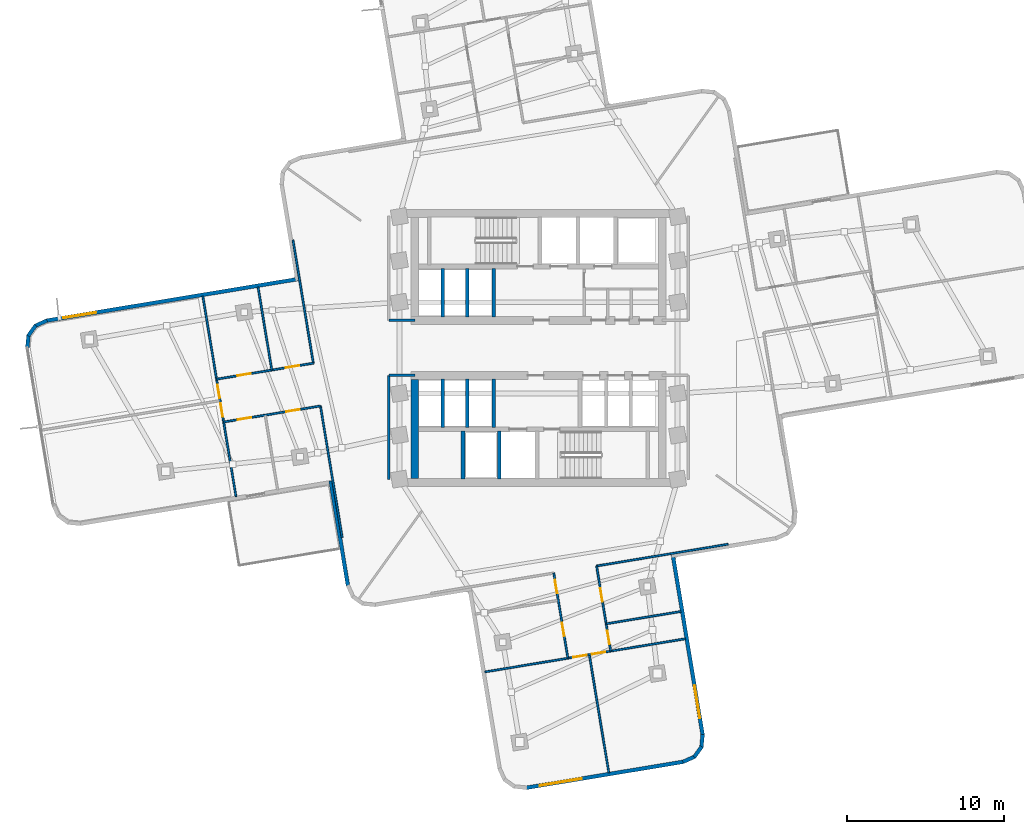
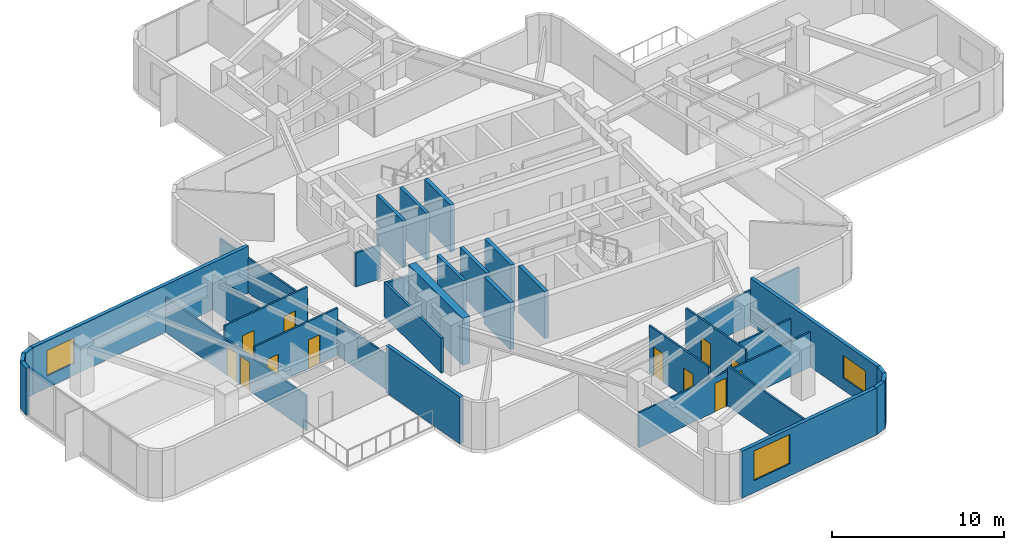
# One storey, part 7 of 13: 34 walls, 12 doors, 3 windows, 15 openings.
"""IFC4 building model written with IfcOpenShell, lengths in metres."""

from ifc_helpers import new_model, si_unit, direction, frame, frame_2d, origin, place, context, subcontext, project, spatial, rectangle, extrude, material, layer, layer_set, type_object, element, fill, save


model = new_model("IFC4")

# Units and contexts
model_context = context("Model", 3, precision=1e-05, world=origin(), true_north=direction((0.0, 1.0)))
body_context = subcontext(model_context, "Body", "Model", "MODEL_VIEW")
ifc_project = project(units=[si_unit("LENGTHUNIT", "METRE"), si_unit("AREAUNIT", "SQUARE_METRE"), si_unit("VOLUMEUNIT", "CUBIC_METRE"), si_unit("PLANEANGLEUNIT", "RADIAN"), si_unit("MASSUNIT", "GRAM", prefix="KILO")], contexts=[model_context])

# Site, building, storey
site_placement = place(None, origin())
site = spatial("IfcSite", under=ifc_project, at=site_placement, CompositionType="ELEMENT")
building_placement = place(site_placement, origin())
building = spatial("IfcBuilding", under=site, at=building_placement, Name="Solmarez Civic Tower", CompositionType="ELEMENT")
storey_placement = place(building_placement, frame((0.0, 0.0, 96.47998046875)))
storey = spatial("IfcBuildingStorey", under=building, at=storey_placement, Name="L25", CompositionType="ELEMENT", Elevation=96.47998046875)

# Walls
ifc_material_1 = material(Name="Concrete C60/75", Category="concrete")
ifc_layer_1 = layer(ifc_material_1, 0.5)
ifc_layer_set_1 = layer_set([ifc_layer_1], Name="Concrete C60/75")
wall_type_1 = type_object("IfcWallType", Name="WALL-CORE-500", PredefinedType="SHEAR", material=ifc_layer_set_1)
wall_1_placement = place(storey_placement, frame((-7.8701171875, -8.31005859375, 0.0), z_axis=(0.0, 0.0, 1.0), x_axis=(0.0, 1.0, 0.0)))
element("IfcWall", 1, at=wall_1_placement, inside=storey, type_object=wall_type_1, Name="L25 Split-Core Structural Wall SCW-W-L25", PredefinedType="SHEAR", context=body_context, shape_type="SweptSolid", body=[
    extrude(rectangle(XDim=6.31005859375, YDim=0.5, at=frame_2d((3.155029296875, 0.0))), origin(), (0.0, 0.0, 1.0), 3.340087890625),
])
ifc_material_2 = material(Name="Precast concrete C40/50", Category="concrete")
ifc_layer_2 = layer(ifc_material_2, 0.239990234375)
ifc_layer_set_2 = layer_set([ifc_layer_2], Name="Precast concrete C40/50")
wall_type_2 = type_object("IfcWallType", Name="WALL-EXT-240", PredefinedType="SOLIDWALL", material=ifc_layer_set_2)
wall_2_placement = place(storey_placement, frame((-32.52099609375, -0.011962890625, 0.0), z_axis=(0.0, 0.0, 1.0), x_axis=(0.096389937095, 0.995343649212, 0.0)))
element("IfcWall", 2, at=wall_2_placement, inside=storey, type_object=wall_type_2, Name="L25 Exterior Precast Wall 7", PredefinedType="SOLIDWALL", context=body_context, shape_type="SweptSolid", body=[
    extrude(rectangle(XDim=0.830810546875, YDim=0.239990234375, at=frame_2d((0.41552734375, 0.0))), origin(), (0.0, 0.0, 1.0), 3.340087890625),
])
wall_3_placement = place(storey_placement, frame((-32.4580078125, 0.77001953125, 0.0), z_axis=(0.0, 0.0, 1.0), x_axis=(0.583704032354, 0.811966503382, 0.0)))
element("IfcWall", 3, at=wall_3_placement, inside=storey, type_object=wall_type_2, Name="L25 Exterior Precast Wall 8", PredefinedType="SOLIDWALL", context=body_context, shape_type="SweptSolid", body=[
    extrude(rectangle(XDim=0.81396484375, YDim=0.239990234375, at=frame_2d((0.406982421875, 0.0))), origin(), (0.0, 0.0, 1.0), 3.340087890625),
])
wall_4_placement = place(storey_placement, frame((-32.02099609375, 1.40087890625, 0.0), z_axis=(0.0, 0.0, 1.0), x_axis=(0.911310138196, 0.411720575173, 0.0)))
element("IfcWall", 4, at=wall_4_placement, inside=storey, type_object=wall_type_2, Name="L25 Exterior Precast Wall 9", PredefinedType="SOLIDWALL", context=body_context, shape_type="SweptSolid", body=[
    extrude(rectangle(XDim=0.830810546875, YDim=0.239990234375, at=frame_2d((0.41552734375, 0.0))), origin(), (0.0, 0.0, 1.0), 3.340087890625),
])

# Wall, opening, window
wall_5_placement = place(storey_placement, frame((-31.31201171875, 1.72900390625, 0.0), z_axis=(0.0, 0.0, 1.0), x_axis=(0.986572947557, 0.163321214629, 0.0)))
wall_5 = element("IfcWall", 5, at=wall_5_placement, inside=storey, type_object=wall_type_2, Name="L25 Exterior Precast Wall 10", PredefinedType="SOLIDWALL", context=body_context, shape_type="SweptSolid", body=[
    extrude(rectangle(XDim=16.2744140625, YDim=0.239990234375, at=frame_2d((8.13720703125, 0.0))), origin(), (0.0, 0.0, 1.0), 3.340087890625),
])
opening_1_placement = place(wall_5_placement, frame((1.10009765625, 0.0, 0.85009765625)))
opening_1 = element("IfcOpeningElement", 6, at=opening_1_placement, cuts=wall_5, Name="Opening W-07", PredefinedType="OPENING", context=body_context, shape_type="SweptSolid", body=[
    extrude(rectangle(XDim=2.10009765625, YDim=1.800048828125, at=frame_2d((1.050048828125, 0.89990234375))), frame((0.0, 0.1298828125, 0.0), z_axis=(0.0, -1.0, 0.0), x_axis=(1.0, 0.0, 0.0)), (0.0, 0.0, 1.0), 0.260009765625),
])
ifc_material_3 = material(Name="Solar Control Bronze-Tinted Insulating Glass", Category="glass")
window_type_1 = type_object("IfcWindowType", Name="WIN-2100X1800", PartitioningType="SINGLE_PANEL", PredefinedType="WINDOW", material=ifc_material_3)
window_1_placement = place(opening_1_placement, origin())
window_1 = element("IfcWindow", 7, at=window_1_placement, inside=storey, type_object=window_type_1, Name="L25 Exterior Facade Window 10", OverallHeight=1.800048828125, OverallWidth=2.10009765625, PartitioningType="SINGLE_PANEL", PredefinedType="WINDOW", context=body_context, shape_type="SweptSolid", body=[
    extrude(rectangle(XDim=2.10009765625, YDim=1.800048828125, at=frame_2d((1.050048828125, 0.89990234375))), frame((0.0, 0.030029296875, 0.0), z_axis=(0.0, -1.0, 0.0), x_axis=(1.0, 0.0, 0.0)), (0.0, 0.0, 1.0), 0.06005859375),
])
fill(opening_1, window_1)

wall_6_placement = place(storey_placement, frame((8.537109375, -13.114990234375, 0.0), z_axis=(0.0, 0.0, 1.0), x_axis=(0.16331392199, -0.986574154782, 0.0)))
wall_6 = element("IfcWall", 8, at=wall_6_placement, inside=storey, type_object=wall_type_2, Name="L25 Exterior Precast Wall 56", PredefinedType="SOLIDWALL", context=body_context, shape_type="SweptSolid", body=[
    extrude(rectangle(XDim=11.6767578125, YDim=0.239990234375, at=frame_2d((5.83837890625, 0.0))), origin(), (0.0, 0.0, 1.0), 3.340087890625),
])
opening_2_placement = place(wall_6_placement, frame((8.47705078125, 0.0, 0.85009765625)))
opening_2 = element("IfcOpeningElement", 9, at=opening_2_placement, cuts=wall_6, Name="Opening W-11", PredefinedType="OPENING", context=body_context, shape_type="SweptSolid", body=[
    extrude(rectangle(XDim=2.10009765625, YDim=1.60009765625, at=frame_2d((1.050048828125, 0.800048828125))), frame((0.0, 0.1298828125, 0.0), z_axis=(0.0, -1.0, 0.0), x_axis=(1.0, 0.0, 0.0)), (0.0, 0.0, 1.0), 0.260009765625),
])
window_type_2 = type_object("IfcWindowType", Name="WIN-2100X1600", PartitioningType="SINGLE_PANEL", PredefinedType="WINDOW", material=ifc_material_3)
window_2_placement = place(opening_2_placement, origin())
window_2 = element("IfcWindow", 10, at=window_2_placement, inside=storey, type_object=window_type_2, Name="L25 Exterior Facade Window 56", OverallHeight=1.60009765625, OverallWidth=2.10009765625, PartitioningType="SINGLE_PANEL", PredefinedType="WINDOW", context=body_context, shape_type="SweptSolid", body=[
    extrude(rectangle(XDim=2.10009765625, YDim=1.60009765625, at=frame_2d((1.050048828125, 0.800048828125))), frame((0.0, 0.030029296875, 0.0), z_axis=(0.0, -1.0, 0.0), x_axis=(1.0, 0.0, 0.0)), (0.0, 0.0, 1.0), 0.06005859375),
])
fill(opening_2, window_2)

# Walls
wall_7_placement = place(storey_placement, frame((10.44189453125, -24.5849609375, 0.0), z_axis=(0.0, 0.0, 1.0), x_axis=(-0.097377162125, -0.995247551264, 0.0)))
element("IfcWall", 11, at=wall_7_placement, inside=storey, type_object=wall_type_2, Name="L25 Exterior Precast Wall 57", PredefinedType="SOLIDWALL", context=body_context, shape_type="SweptSolid", body=[
    extrude(rectangle(XDim=0.829833984375, YDim=0.239990234375, at=frame_2d((0.4150390625, 0.0))), origin(), (0.0, 0.0, 1.0), 3.340087890625),
])
wall_8_placement = place(storey_placement, frame((10.3779296875, -25.365966796875, 0.0), z_axis=(0.0, 0.0, 1.0), x_axis=(-0.582571818602, -0.812779229662, 0.0)))
element("IfcWall", 12, at=wall_8_placement, inside=storey, type_object=wall_type_2, Name="L25 Exterior Precast Wall 58", PredefinedType="SOLIDWALL", context=body_context, shape_type="SweptSolid", body=[
    extrude(rectangle(XDim=0.8134765625, YDim=0.239990234375, at=frame_2d((0.40673828125, 0.0))), origin(), (0.0, 0.0, 1.0), 3.340087890625),
])
wall_9_placement = place(storey_placement, frame((9.94189453125, -25.9970703125, 0.0), z_axis=(0.0, 0.0, 1.0), x_axis=(-0.910818725684, -0.412806551479, 0.0)))
element("IfcWall", 13, at=wall_9_placement, inside=storey, type_object=wall_type_2, Name="L25 Exterior Precast Wall 59", PredefinedType="SOLIDWALL", context=body_context, shape_type="SweptSolid", body=[
    extrude(rectangle(XDim=0.8310546875, YDim=0.239990234375, at=frame_2d((0.41552734375, 0.0))), origin(), (0.0, 0.0, 1.0), 3.340087890625),
])

# Wall, opening, window
wall_10_placement = place(storey_placement, frame((9.23291015625, -26.325927734375, 0.0), z_axis=(0.0, 0.0, 1.0), x_axis=(-0.986573887112, -0.163315538969, 0.0)))
wall_10 = element("IfcWall", 14, at=wall_10_placement, inside=storey, type_object=wall_type_2, Name="L25 Exterior Precast Wall 60", PredefinedType="SOLIDWALL", context=body_context, shape_type="SweptSolid", body=[
    extrude(rectangle(XDim=10.159423828125, YDim=0.239990234375, at=frame_2d((5.07958984375, 0.0))), origin(), (0.0, 0.0, 1.0), 3.340087890625),
])
opening_3_placement = place(wall_10_placement, frame((6.573974609375, 0.0, 0.85009765625)))
opening_3 = element("IfcOpeningElement", 15, at=opening_3_placement, cuts=wall_10, Name="Opening W-01", PredefinedType="OPENING", context=body_context, shape_type="SweptSolid", body=[
    extrude(rectangle(XDim=2.699951171875, YDim=2.10009765625, at=frame_2d((1.35009765625, 1.050048828125))), frame((0.0, 0.1298828125, 0.0), z_axis=(0.0, -1.0, 0.0), x_axis=(1.0, 0.0, 0.0)), (0.0, 0.0, 1.0), 0.260009765625),
])
window_type_3 = type_object("IfcWindowType", Name="WIN-2700X2100", PartitioningType="SINGLE_PANEL", PredefinedType="WINDOW", material=ifc_material_3)
window_3_placement = place(opening_3_placement, origin())
window_3 = element("IfcWindow", 16, at=window_3_placement, inside=storey, type_object=window_type_3, Name="L25 Exterior Facade Window 60", OverallHeight=2.10009765625, OverallWidth=2.699951171875, PartitioningType="SINGLE_PANEL", PredefinedType="WINDOW", context=body_context, shape_type="SweptSolid", body=[
    extrude(rectangle(XDim=2.699951171875, YDim=2.10009765625, at=frame_2d((1.35009765625, 1.050048828125))), frame((0.0, 0.030029296875, 0.0), z_axis=(0.0, -1.0, 0.0), x_axis=(1.0, 0.0, 0.0)), (0.0, 0.0, 1.0), 0.06005859375),
])
fill(opening_3, window_3)

# Walls
wall_11_placement = place(storey_placement, frame((-12.1201171875, -15.14208984375, 0.0), z_axis=(0.0, 0.0, 1.0), x_axis=(-0.163241835244, 0.986586085056, 0.0)))
element("IfcWall", 17, at=wall_11_placement, inside=storey, type_object=wall_type_2, Name="L25 Exterior Precast Wall 71", PredefinedType="SOLIDWALL", context=body_context, shape_type="SweptSolid", body=[
    extrude(rectangle(XDim=6.77490234375, YDim=0.239990234375, at=frame_2d((3.387451171875, 0.0))), origin(), (0.0, 0.0, 1.0), 3.340087890625),
])
ifc_material_4 = material(Name="Gypsum Board Acoustic Steel-Stud Partition", Category="steel")
ifc_layer_3 = layer(ifc_material_4, 0.14990234375)
ifc_layer_set_3 = layer_set([ifc_layer_3], Name="Gypsum Board Acoustic Steel-Stud Partition")
wall_type_3 = type_object("IfcWallType", Name="WALL-INT-FIRE-150", PredefinedType="PARTITIONING", material=ifc_layer_set_3)
wall_12_placement = place(storey_placement, frame((-7.85009765625, 1.75, 0.0), z_axis=(0.0, 0.0, 1.0), x_axis=(-1.0, 0.0, 0.0)))
element("IfcWall", 18, at=wall_12_placement, inside=storey, type_object=wall_type_3, Name="L25 Interior Partition CHW-L25-WN3", PredefinedType="PARTITIONING", context=body_context, shape_type="SweptSolid", body=[
    extrude(rectangle(XDim=1.669921875, YDim=0.14990234375, at=frame_2d((0.8349609375, 0.0))), origin(), (0.0, 0.0, 1.0), 2.405029296875),
])
wall_13_placement = place(storey_placement, frame((-9.52001953125, -8.3798828125, 0.0), z_axis=(0.0, 0.0, 1.0), x_axis=(0.0, 1.0, 0.0)))
element("IfcWall", 19, at=wall_13_placement, inside=storey, type_object=wall_type_3, Name="L25 Interior Partition CHW-L25-WS1", PredefinedType="PARTITIONING", context=body_context, shape_type="SweptSolid", body=[
    extrude(rectangle(XDim=6.6298828125, YDim=0.14990234375, at=frame_2d((3.31494140625, 0.0))), origin(), (0.0, 0.0, 1.0), 2.486083984375),
])
wall_14_placement = place(storey_placement, frame((-7.85009765625, -1.75, 0.0), z_axis=(0.0, 0.0, 1.0), x_axis=(-1.0, 0.0, 0.0)))
element("IfcWall", 20, at=wall_14_placement, inside=storey, type_object=wall_type_3, Name="L25 Interior Partition CHW-L25-WS3", PredefinedType="PARTITIONING", context=body_context, shape_type="SweptSolid", body=[
    extrude(rectangle(XDim=1.669921875, YDim=0.14990234375, at=frame_2d((0.8349609375, 0.0))), origin(), (0.0, 0.0, 1.0), 2.405029296875),
])
ifc_layer_4 = layer(ifc_material_4, 0.1201171875)
ifc_layer_set_4 = layer_set([ifc_layer_4], Name="Gypsum Board Acoustic Steel-Stud Partition")
wall_type_4 = type_object("IfcWallType", Name="WALL-INT-PART-120", PredefinedType="PARTITIONING", material=ifc_layer_set_4)
wall_15_placement = place(storey_placement, frame((-13.8740234375, -3.68603515625, 0.0), z_axis=(0.0, 0.0, 1.0), x_axis=(0.163270245909, -0.98658138377, 0.0)))
element("IfcWall", 21, at=wall_15_placement, inside=storey, type_object=wall_type_4, Name="L25 Interior Partition PT-L25-W-EFL", PredefinedType="PARTITIONING", context=body_context, shape_type="SweptSolid", body=[
    extrude(rectangle(XDim=8.489013671875, YDim=0.1201171875, at=frame_2d((4.24462890625, 0.0))), origin(), (0.0, 0.0, 1.0), 2.486083984375),
])
wall_16_placement = place(storey_placement, frame((-15.6201171875, 6.860107421875, 0.0), z_axis=(0.0, 0.0, 1.0), x_axis=(0.16330811288, -0.986575116384, 0.0)))
element("IfcWall", 22, at=wall_16_placement, inside=storey, type_object=wall_type_4, Name="L25 Interior Partition PT-L25-W-EFR", PredefinedType="PARTITIONING", context=body_context, shape_type="SweptSolid", body=[
    extrude(rectangle(XDim=7.94873046875, YDim=0.1201171875, at=frame_2d((3.974365234375, 0.0))), origin(), (0.0, 0.0, 1.0), 2.486083984375),
])
wall_17_placement = place(storey_placement, frame((-17.842041015625, 3.873046875, 0.0), z_axis=(0.0, 0.0, 1.0), x_axis=(0.16329307855, -0.986577604904, 0.0)))
element("IfcWall", 23, at=wall_17_placement, inside=storey, type_object=wall_type_4, Name="L25 Interior Partition PT-L25-W-RM", PredefinedType="PARTITIONING", context=body_context, shape_type="SweptSolid", body=[
    extrude(rectangle(XDim=5.33447265625, YDim=0.1201171875, at=frame_2d((2.667236328125, 0.0))), origin(), (0.0, 0.0, 1.0), 2.486083984375),
])

# Wall, openings, doors
wall_18_placement = place(storey_placement, frame((-20.029052734375, -4.715087890625, 0.0), z_axis=(0.0, 0.0, 1.0), x_axis=(0.986548927366, 0.163466247017, 0.0)))
wall_18 = element("IfcWall", 24, at=wall_18_placement, inside=storey, type_object=wall_type_4, Name="L25 Interior Partition PT-L25-W-SL", PredefinedType="PARTITIONING", context=body_context, shape_type="SweptSolid", body=[
    extrude(rectangle(XDim=6.239990234375, YDim=0.1201171875, at=frame_2d((3.1201171875, 0.0))), origin(), (0.0, 0.0, 1.0), 3.340087890625),
])
opening_4_placement = place(wall_18_placement, frame((4.030029296875, 0.0, 0.0)))
opening_4 = element("IfcOpeningElement", 25, at=opening_4_placement, cuts=wall_18, Name="Opening D-14", PredefinedType="OPENING", context=body_context, shape_type="SweptSolid", body=[
    extrude(rectangle(XDim=0.860107421875, YDim=2.0400390625, at=frame_2d((0.43017578125, 1.02001953125))), frame((0.0, 0.070068359375, 0.0), z_axis=(0.0, -1.0, 0.0), x_axis=(1.0, 0.0, 0.0)), (0.0, 0.0, 1.0), 0.14013671875),
])
opening_5_placement = place(wall_18_placement, frame((0.909912109375, 0.0, 0.0)))
opening_5 = element("IfcOpeningElement", 26, at=opening_5_placement, cuts=wall_18, Name="Opening D-14", PredefinedType="OPENING", context=body_context, shape_type="SweptSolid", body=[
    extrude(rectangle(XDim=0.860107421875, YDim=2.0400390625, at=frame_2d((0.43017578125, 1.02001953125))), frame((0.0, 0.070068359375, 0.0), z_axis=(0.0, -1.0, 0.0), x_axis=(1.0, 0.0, 0.0)), (0.0, 0.0, 1.0), 0.14013671875),
])
ifc_material_5 = material(Name="Timber Storage and Pantry Door", Category="wood")
door_type = type_object("IfcDoorType", Name="DOOR-INT-850", OperationType="NOTDEFINED", PredefinedType="DOOR", material=ifc_material_5)
door_1_placement = place(opening_4_placement, origin())
door_1 = element("IfcDoor", 27, at=door_1_placement, inside=storey, type_object=door_type, Name="L25 Press Study Room First West Door", OperationType="SINGLE_SWING_LEFT", OverallHeight=2.0400390625, OverallWidth=0.860107421875, PredefinedType="DOOR", context=body_context, shape_type="SweptSolid", body=[
    extrude(rectangle(XDim=0.860107421875, YDim=2.0400390625, at=frame_2d((0.43017578125, 1.02001953125))), frame((0.0, 0.02490234375, 0.0), z_axis=(0.0, -1.0, 0.0), x_axis=(1.0, 0.0, 0.0)), (0.0, 0.0, 1.0), 0.050048828125),
])
fill(opening_4, door_1)
door_2_placement = place(opening_5_placement, origin())
door_2 = element("IfcDoor", 28, at=door_2_placement, inside=storey, type_object=door_type, Name="L25 Catering Pantry Second West Door", OperationType="SINGLE_SWING_RIGHT", OverallHeight=2.0400390625, OverallWidth=0.860107421875, PredefinedType="DOOR", context=body_context, shape_type="SweptSolid", body=[
    extrude(rectangle(XDim=0.860107421875, YDim=2.0400390625, at=frame_2d((0.43017578125, 1.02001953125))), frame((0.0, 0.02490234375, 0.0), z_axis=(0.0, -1.0, 0.0), x_axis=(1.0, 0.0, 0.0)), (0.0, 0.0, 1.0), 0.050048828125),
])
fill(opening_5, door_2)

wall_19_placement = place(storey_placement, frame((-14.323974609375, -0.971923828125, 0.0), z_axis=(0.0, 0.0, 1.0), x_axis=(-0.986548927366, -0.163466247017, 0.0)))
wall_19 = element("IfcWall", 29, at=wall_19_placement, inside=storey, type_object=wall_type_4, Name="L25 Interior Partition PT-L25-W-SR", PredefinedType="PARTITIONING", context=body_context, shape_type="SweptSolid", body=[
    extrude(rectangle(XDim=6.239990234375, YDim=0.1201171875, at=frame_2d((3.1201171875, 0.0))), origin(), (0.0, 0.0, 1.0), 3.340087890625),
])
opening_6_placement = place(wall_19_placement, frame((0.909912109375, 0.0, 0.0)))
opening_6 = element("IfcOpeningElement", 30, at=opening_6_placement, cuts=wall_19, Name="Opening D-14", PredefinedType="OPENING", context=body_context, shape_type="SweptSolid", body=[
    extrude(rectangle(XDim=0.860107421875, YDim=2.0400390625, at=frame_2d((0.43017578125, 1.02001953125))), frame((0.0, 0.070068359375, 0.0), z_axis=(0.0, -1.0, 0.0), x_axis=(1.0, 0.0, 0.0)), (0.0, 0.0, 1.0), 0.14013671875),
])
opening_7_placement = place(wall_19_placement, frame((4.030029296875, 0.0, 0.0)))
opening_7 = element("IfcOpeningElement", 31, at=opening_7_placement, cuts=wall_19, Name="Opening D-14", PredefinedType="OPENING", context=body_context, shape_type="SweptSolid", body=[
    extrude(rectangle(XDim=0.860107421875, YDim=2.0400390625, at=frame_2d((0.43017578125, 1.02001953125))), frame((0.0, 0.070068359375, 0.0), z_axis=(0.0, -1.0, 0.0), x_axis=(1.0, 0.0, 0.0)), (0.0, 0.0, 1.0), 0.14013671875),
])
door_3_placement = place(opening_6_placement, origin())
door_3 = element("IfcDoor", 32, at=door_3_placement, inside=storey, type_object=door_type, Name="L25 Public Exhibition Library Third West Door", OperationType="SINGLE_SWING_RIGHT", OverallHeight=2.0400390625, OverallWidth=0.860107421875, PredefinedType="DOOR", context=body_context, shape_type="SweptSolid", body=[
    extrude(rectangle(XDim=0.860107421875, YDim=2.0400390625, at=frame_2d((0.43017578125, 1.02001953125))), frame((0.0, 0.02490234375, 0.0), z_axis=(0.0, -1.0, 0.0), x_axis=(1.0, 0.0, 0.0)), (0.0, 0.0, 1.0), 0.050048828125),
])
fill(opening_6, door_3)
door_4_placement = place(opening_7_placement, origin())
door_4 = element("IfcDoor", 33, at=door_4_placement, inside=storey, type_object=door_type, Name="L25 Civic Lecture Classroom Fourth West Door", OperationType="SINGLE_SWING_LEFT", OverallHeight=2.0400390625, OverallWidth=0.860107421875, PredefinedType="DOOR", context=body_context, shape_type="SweptSolid", body=[
    extrude(rectangle(XDim=0.860107421875, YDim=2.0400390625, at=frame_2d((0.43017578125, 1.02001953125))), frame((0.0, 0.02490234375, 0.0), z_axis=(0.0, -1.0, 0.0), x_axis=(1.0, 0.0, 0.0)), (0.0, 0.0, 1.0), 0.050048828125),
])
fill(opening_7, door_4)

wall_20_placement = place(storey_placement, frame((-19.242919921875, -9.465087890625, 0.0), z_axis=(0.0, 0.0, 1.0), x_axis=(-0.163348643691, 0.98656840645, 0.0)))
wall_20 = element("IfcWall", 34, at=wall_20_placement, inside=storey, type_object=wall_type_4, Name="L25 Interior Partition PT-L25-W-END", PredefinedType="PARTITIONING", context=body_context, shape_type="SweptSolid", body=[
    extrude(rectangle(XDim=12.9296875, YDim=0.1201171875, at=frame_2d((6.46484375, 0.0))), origin(), (0.0, 0.0, 1.0), 2.486083984375),
])
opening_8_placement = place(wall_20_placement, frame((6.364990234375, 0.0, 0.0)))
opening_8 = element("IfcOpeningElement", 35, at=opening_8_placement, cuts=wall_20, Name="Opening D-14", PredefinedType="OPENING", context=body_context, shape_type="SweptSolid", body=[
    extrude(rectangle(XDim=0.860107421875, YDim=2.0400390625, at=frame_2d((0.43017578125, 1.02001953125))), frame((0.0, 0.070068359375, 0.0), z_axis=(0.0, -1.0, 0.0), x_axis=(1.0, 0.0, 0.0)), (0.0, 0.0, 1.0), 0.14013671875),
])
opening_9_placement = place(wall_20_placement, frame((5.1650390625, 0.0, 0.0)))
opening_9 = element("IfcOpeningElement", 36, at=opening_9_placement, cuts=wall_20, Name="Opening D-14", PredefinedType="OPENING", context=body_context, shape_type="SweptSolid", body=[
    extrude(rectangle(XDim=0.860107421875, YDim=2.0400390625, at=frame_2d((0.43017578125, 1.02001953125))), frame((0.0, 0.070068359375, 0.0), z_axis=(0.0, -1.0, 0.0), x_axis=(1.0, 0.0, 0.0)), (0.0, 0.0, 1.0), 0.14013671875),
])
door_5_placement = place(opening_8_placement, origin())
door_5 = element("IfcDoor", 37, at=door_5_placement, inside=storey, type_object=door_type, Name="L25 Civic Lecture Classroom Sixth West Door", OperationType="SINGLE_SWING_RIGHT", OverallHeight=2.0400390625, OverallWidth=0.860107421875, PredefinedType="DOOR", context=body_context, shape_type="SweptSolid", body=[
    extrude(rectangle(XDim=0.860107421875, YDim=2.0400390625, at=frame_2d((0.43017578125, 1.02001953125))), frame((0.0, 0.02490234375, 0.0), z_axis=(0.0, -1.0, 0.0), x_axis=(1.0, 0.0, 0.0)), (0.0, 0.0, 1.0), 0.050048828125),
])
fill(opening_8, door_5)
door_6_placement = place(opening_9_placement, origin())
door_6 = element("IfcDoor", 38, at=door_6_placement, inside=storey, type_object=door_type, Name="L25 Public Exhibition Library Fifth West Door", OperationType="SINGLE_SWING_LEFT", OverallHeight=2.0400390625, OverallWidth=0.860107421875, PredefinedType="DOOR", context=body_context, shape_type="SweptSolid", body=[
    extrude(rectangle(XDim=0.860107421875, YDim=2.0400390625, at=frame_2d((0.43017578125, 1.02001953125))), frame((0.0, 0.02490234375, 0.0), z_axis=(0.0, -1.0, 0.0), x_axis=(1.0, 0.0, 0.0)), (0.0, 0.0, 1.0), 0.050048828125),
])
fill(opening_9, door_6)

# Walls
wall_21_placement = place(storey_placement, frame((3.68603515625, -13.8740234375, 0.0), z_axis=(0.0, 0.0, 1.0), x_axis=(0.98658138377, 0.163270245909, 0.0)))
element("IfcWall", 39, at=wall_21_placement, inside=storey, type_object=wall_type_4, Name="L25 Interior Partition PT-L25-S-EFL", PredefinedType="PARTITIONING", context=body_context, shape_type="SweptSolid", body=[
    extrude(rectangle(XDim=8.489013671875, YDim=0.1201171875, at=frame_2d((4.24462890625, 0.0))), origin(), (0.0, 0.0, 1.0), 2.486083984375),
])
wall_22_placement = place(storey_placement, frame((4.323974609375, -17.549072265625, 0.0), z_axis=(0.0, 0.0, 1.0), x_axis=(0.986580422227, 0.163276056047, 0.0)))
element("IfcWall", 40, at=wall_22_placement, inside=storey, type_object=wall_type_4, Name="L25 Interior Partition PT-L25-S-LM", PredefinedType="PARTITIONING", context=body_context, shape_type="SweptSolid", body=[
    extrude(rectangle(XDim=4.79541015625, YDim=0.1201171875, at=frame_2d((2.397705078125, 0.0))), origin(), (0.0, 0.0, 1.0), 2.486083984375),
])

# Wall, openings, doors
wall_23_placement = place(storey_placement, frame((4.592041015625, -19.2890625, 0.0), z_axis=(0.0, 0.0, 1.0), x_axis=(-0.163389271883, 0.986561678677, 0.0)))
wall_23 = element("IfcWall", 41, at=wall_23_placement, inside=storey, type_object=wall_type_4, Name="L25 Interior Partition PT-L25-S-SL", PredefinedType="PARTITIONING", context=body_context, shape_type="SweptSolid", body=[
    extrude(rectangle(XDim=5.48974609375, YDim=0.1201171875, at=frame_2d((2.744873046875, 0.0))), origin(), (0.0, 0.0, 1.0), 3.340087890625),
])
opening_10_placement = place(wall_23_placement, frame((3.195068359375, 0.0, 0.0)))
opening_10 = element("IfcOpeningElement", 42, at=opening_10_placement, cuts=wall_23, Name="Opening D-14", PredefinedType="OPENING", context=body_context, shape_type="SweptSolid", body=[
    extrude(rectangle(XDim=0.860107421875, YDim=2.0400390625, at=frame_2d((0.43017578125, 1.02001953125))), frame((0.0, 0.070068359375, 0.0), z_axis=(0.0, -1.0, 0.0), x_axis=(1.0, 0.0, 0.0)), (0.0, 0.0, 1.0), 0.14013671875),
])
opening_11_placement = place(wall_23_placement, frame((0.449951171875, 0.0, 0.0)))
opening_11 = element("IfcOpeningElement", 43, at=opening_11_placement, cuts=wall_23, Name="Opening D-14", PredefinedType="OPENING", context=body_context, shape_type="SweptSolid", body=[
    extrude(rectangle(XDim=0.860107421875, YDim=2.0400390625, at=frame_2d((0.43017578125, 1.02001953125))), frame((0.0, 0.070068359375, 0.0), z_axis=(0.0, -1.0, 0.0), x_axis=(1.0, 0.0, 0.0)), (0.0, 0.0, 1.0), 0.14013671875),
])
door_7_placement = place(opening_10_placement, origin())
door_7 = element("IfcDoor", 44, at=door_7_placement, inside=storey, type_object=door_type, Name="L25 Catering Pantry First South Door", OperationType="SINGLE_SWING_LEFT", OverallHeight=2.0400390625, OverallWidth=0.860107421875, PredefinedType="DOOR", context=body_context, shape_type="SweptSolid", body=[
    extrude(rectangle(XDim=0.860107421875, YDim=2.0400390625, at=frame_2d((0.43017578125, 1.02001953125))), frame((0.0, 0.02490234375, 0.0), z_axis=(0.0, -1.0, 0.0), x_axis=(1.0, 0.0, 0.0)), (0.0, 0.0, 1.0), 0.050048828125),
])
fill(opening_10, door_7)
door_8_placement = place(opening_11_placement, origin())
door_8 = element("IfcDoor", 45, at=door_8_placement, inside=storey, type_object=door_type, Name="L25 Public Exhibition Library Second South Door", OperationType="SINGLE_SWING_RIGHT", OverallHeight=2.0400390625, OverallWidth=0.860107421875, PredefinedType="DOOR", context=body_context, shape_type="SweptSolid", body=[
    extrude(rectangle(XDim=0.860107421875, YDim=2.0400390625, at=frame_2d((0.43017578125, 1.02001953125))), frame((0.0, 0.02490234375, 0.0), z_axis=(0.0, -1.0, 0.0), x_axis=(1.0, 0.0, 0.0)), (0.0, 0.0, 1.0), 0.050048828125),
])
fill(opening_11, door_8)

wall_24_placement = place(storey_placement, frame((0.971923828125, -14.323974609375, 0.0), z_axis=(0.0, 0.0, 1.0), x_axis=(0.163389271883, -0.986561678677, 0.0)))
wall_24 = element("IfcWall", 46, at=wall_24_placement, inside=storey, type_object=wall_type_4, Name="L25 Interior Partition PT-L25-S-SR", PredefinedType="PARTITIONING", context=body_context, shape_type="SweptSolid", body=[
    extrude(rectangle(XDim=5.48974609375, YDim=0.1201171875, at=frame_2d((2.744873046875, 0.0))), origin(), (0.0, 0.0, 1.0), 3.340087890625),
])
opening_12_placement = place(wall_24_placement, frame((0.449951171875, 0.0, 0.0)))
opening_12 = element("IfcOpeningElement", 47, at=opening_12_placement, cuts=wall_24, Name="Opening D-14", PredefinedType="OPENING", context=body_context, shape_type="SweptSolid", body=[
    extrude(rectangle(XDim=0.860107421875, YDim=2.0400390625, at=frame_2d((0.43017578125, 1.02001953125))), frame((0.0, 0.070068359375, 0.0), z_axis=(0.0, -1.0, 0.0), x_axis=(1.0, 0.0, 0.0)), (0.0, 0.0, 1.0), 0.14013671875),
])
opening_13_placement = place(wall_24_placement, frame((3.195068359375, 0.0, 0.0)))
opening_13 = element("IfcOpeningElement", 48, at=opening_13_placement, cuts=wall_24, Name="Opening D-14", PredefinedType="OPENING", context=body_context, shape_type="SweptSolid", body=[
    extrude(rectangle(XDim=0.860107421875, YDim=2.0400390625, at=frame_2d((0.43017578125, 1.02001953125))), frame((0.0, 0.070068359375, 0.0), z_axis=(0.0, -1.0, 0.0), x_axis=(1.0, 0.0, 0.0)), (0.0, 0.0, 1.0), 0.14013671875),
])
door_9_placement = place(opening_12_placement, origin())
door_9 = element("IfcDoor", 49, at=door_9_placement, inside=storey, type_object=door_type, Name="L25 Civic Lecture Classroom Third South Door", OperationType="SINGLE_SWING_RIGHT", OverallHeight=2.0400390625, OverallWidth=0.860107421875, PredefinedType="DOOR", context=body_context, shape_type="SweptSolid", body=[
    extrude(rectangle(XDim=0.860107421875, YDim=2.0400390625, at=frame_2d((0.43017578125, 1.02001953125))), frame((0.0, 0.02490234375, 0.0), z_axis=(0.0, -1.0, 0.0), x_axis=(1.0, 0.0, 0.0)), (0.0, 0.0, 1.0), 0.050048828125),
])
fill(opening_12, door_9)
door_10_placement = place(opening_13_placement, origin())
door_10 = element("IfcDoor", 50, at=door_10_placement, inside=storey, type_object=door_type, Name="L25 Press Study Room Fourth South Door", OperationType="SINGLE_SWING_LEFT", OverallHeight=2.0400390625, OverallWidth=0.860107421875, PredefinedType="DOOR", context=body_context, shape_type="SweptSolid", body=[
    extrude(rectangle(XDim=0.860107421875, YDim=2.0400390625, at=frame_2d((0.43017578125, 1.02001953125))), frame((0.0, 0.02490234375, 0.0), z_axis=(0.0, -1.0, 0.0), x_axis=(1.0, 0.0, 0.0)), (0.0, 0.0, 1.0), 0.050048828125),
])
fill(opening_13, door_10)

# Wall
wall_25_placement = place(storey_placement, frame((3.239990234375, -19.573974609375, 0.0), z_axis=(0.0, 0.0, 1.0), x_axis=(0.16336126604, -0.986566316452, 0.0)))
element("IfcWall", 51, at=wall_25_placement, inside=storey, type_object=wall_type_4, Name="L25 Interior Partition PT-L25-S-TM", PredefinedType="PARTITIONING", context=body_context, shape_type="SweptSolid", body=[
    extrude(rectangle(XDim=7.5546875, YDim=0.1201171875, at=frame_2d((3.77734375, 0.0))), origin(), (0.0, 0.0, 1.0), 2.83203125),
])

# Wall, openings, doors
wall_26_placement = place(storey_placement, frame((9.342041015625, -18.5029296875, 0.0), z_axis=(0.0, 0.0, 1.0), x_axis=(-0.98656840645, -0.163348643691, 0.0)))
wall_26 = element("IfcWall", 52, at=wall_26_placement, inside=storey, type_object=wall_type_4, Name="L25 Interior Partition PT-L25-S-END", PredefinedType="PARTITIONING", context=body_context, shape_type="SweptSolid", body=[
    extrude(rectangle(XDim=12.9296875, YDim=0.1201171875, at=frame_2d((6.46484375, 0.0))), origin(), (0.0, 0.0, 1.0), 2.486083984375),
])
opening_14_placement = place(wall_26_placement, frame((6.364990234375, 0.0, 0.0)))
opening_14 = element("IfcOpeningElement", 53, at=opening_14_placement, cuts=wall_26, Name="Opening D-14", PredefinedType="OPENING", context=body_context, shape_type="SweptSolid", body=[
    extrude(rectangle(XDim=0.860107421875, YDim=2.0400390625, at=frame_2d((0.43017578125, 1.02001953125))), frame((0.0, 0.070068359375, 0.0), z_axis=(0.0, -1.0, 0.0), x_axis=(1.0, 0.0, 0.0)), (0.0, 0.0, 1.0), 0.14013671875),
])
opening_15_placement = place(wall_26_placement, frame((5.1640625, 0.0, 0.0)))
opening_15 = element("IfcOpeningElement", 54, at=opening_15_placement, cuts=wall_26, Name="Opening D-14", PredefinedType="OPENING", context=body_context, shape_type="SweptSolid", body=[
    extrude(rectangle(XDim=0.860107421875, YDim=2.0400390625, at=frame_2d((0.43017578125, 1.02001953125))), frame((0.0, 0.070068359375, 0.0), z_axis=(0.0, -1.0, 0.0), x_axis=(1.0, 0.0, 0.0)), (0.0, 0.0, 1.0), 0.14013671875),
])
door_11_placement = place(opening_14_placement, origin())
door_11 = element("IfcDoor", 55, at=door_11_placement, inside=storey, type_object=door_type, Name="L25 Press Study Room Sixth South Door", OperationType="SINGLE_SWING_RIGHT", OverallHeight=2.0400390625, OverallWidth=0.860107421875, PredefinedType="DOOR", context=body_context, shape_type="SweptSolid", body=[
    extrude(rectangle(XDim=0.860107421875, YDim=2.0400390625, at=frame_2d((0.43017578125, 1.02001953125))), frame((0.0, 0.02490234375, 0.0), z_axis=(0.0, -1.0, 0.0), x_axis=(1.0, 0.0, 0.0)), (0.0, 0.0, 1.0), 0.050048828125),
])
fill(opening_14, door_11)
door_12_placement = place(opening_15_placement, origin())
door_12 = element("IfcDoor", 56, at=door_12_placement, inside=storey, type_object=door_type, Name="L25 Civic Lecture Classroom Fifth South Door", OperationType="SINGLE_SWING_LEFT", OverallHeight=2.0400390625, OverallWidth=0.860107421875, PredefinedType="DOOR", context=body_context, shape_type="SweptSolid", body=[
    extrude(rectangle(XDim=0.860107421875, YDim=2.0400390625, at=frame_2d((0.43017578125, 1.02001953125))), frame((0.0, 0.02490234375, 0.0), z_axis=(0.0, -1.0, 0.0), x_axis=(1.0, 0.0, 0.0)), (0.0, 0.0, 1.0), 0.050048828125),
])
fill(opening_15, door_12)

# Walls
ifc_material_6 = material(Name="Concrete C50/60", Category="concrete")
ifc_layer_5 = layer(ifc_material_6, 0.300048828125)
ifc_layer_set_5 = layer_set([ifc_layer_5], Name="Concrete C50/60")
wall_type_5 = type_object("IfcWallType", Name="WALL-STR-300", PredefinedType="SOLIDWALL", material=ifc_layer_set_5)
wall_27_placement = place(storey_placement, frame((-2.85009765625, 1.97998046875, 0.0), z_axis=(0.0, 0.0, 1.0), x_axis=(0.0, 1.0, 0.0)))
element("IfcWall", 57, at=wall_27_placement, inside=storey, type_object=wall_type_5, Name="L25 Split-Core Structural Wall SHW-NL1-L25", PredefinedType="SOLIDWALL", context=body_context, shape_type="SweptSolid", body=[
    extrude(rectangle(XDim=3.070068359375, YDim=0.25, at=frame_2d((1.53515625, 0.0))), origin(), (0.0, 0.0, 1.0), 3.340087890625),
])
for number, where, z_axis, x_axis, name in (
    (58, (-2.5, -8.340087890625, 0.0), (0.0, 0.0, 1.0), (0.0, 1.0, 0.0), "L25 Split-Core Structural Wall SHW-S2-L25"),
    (59, (-4.800048828125, -8.340087890625, 0.0), (0.0, 0.0, 1.0), (0.0, 1.0, 0.0), "L25 Split-Core Structural Wall SHW-S3-L25"),
):
    element("IfcWall", number, at=place(storey_placement, frame(where, z_axis=z_axis, x_axis=x_axis)), inside=storey, type_object=wall_type_5, Name=name, PredefinedType="SOLIDWALL", context=body_context, shape_type="SweptSolid", body=[
        extrude(rectangle(XDim=3.0400390625, YDim=0.25, at=frame_2d((1.52001953125, 0.0))), origin(), (0.0, 0.0, 1.0), 3.340087890625),
    ])
wall_28_placement = place(storey_placement, frame((-2.85009765625, -5.050048828125, 0.0), z_axis=(0.0, 0.0, 1.0), x_axis=(0.0, 1.0, 0.0)))
element("IfcWall", 60, at=wall_28_placement, inside=storey, type_object=wall_type_5, Name="L25 Split-Core Structural Wall SHW-SL1-L25", PredefinedType="SOLIDWALL", context=body_context, shape_type="SweptSolid", body=[
    extrude(rectangle(XDim=3.070068359375, YDim=0.25, at=frame_2d((1.53515625, 0.0))), origin(), (0.0, 0.0, 1.0), 3.340087890625),
])
for number, where, z_axis, x_axis, name in (
    (61, (-6.080078125, 1.97998046875, 0.0), (0.0, 0.0, 1.0), (0.0, 1.0, 0.0), "L25 Split-Core Structural Wall SHW-PLH-L25-1"),
    (62, (-4.52001953125, 1.97998046875, 0.0), (0.0, 0.0, 1.0), (0.0, 1.0, 0.0), "L25 Split-Core Structural Wall SHW-PLH-L25-2"),
    (63, (-6.080078125, -5.050048828125, 0.0), (0.0, 0.0, 1.0), (0.0, 1.0, 0.0), "L25 Split-Core Structural Wall SHW-PLM-L25-1"),
    (64, (-4.52001953125, -5.050048828125, 0.0), (0.0, 0.0, 1.0), (0.0, 1.0, 0.0), "L25 Split-Core Structural Wall SHW-PLM-L25-2"),
):
    element("IfcWall", number, at=place(storey_placement, frame(where, z_axis=z_axis, x_axis=x_axis)), inside=storey, type_object=wall_type_5, Name=name, PredefinedType="SOLIDWALL", context=body_context, shape_type="SweptSolid", body=[
        extrude(rectangle(XDim=3.070068359375, YDim=0.219970703125, at=frame_2d((1.53515625, 0.0))), origin(), (0.0, 0.0, 1.0), 3.340087890625),
    ])

save(model, "model.ifc")
